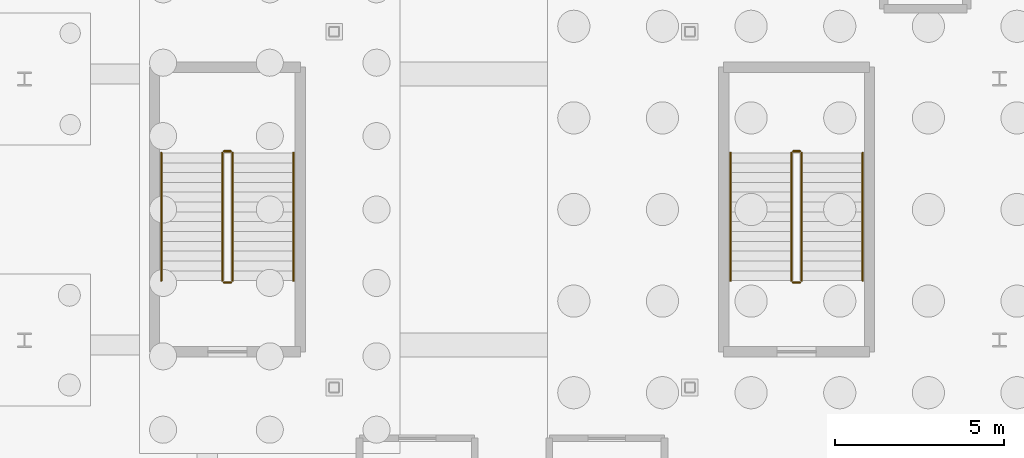
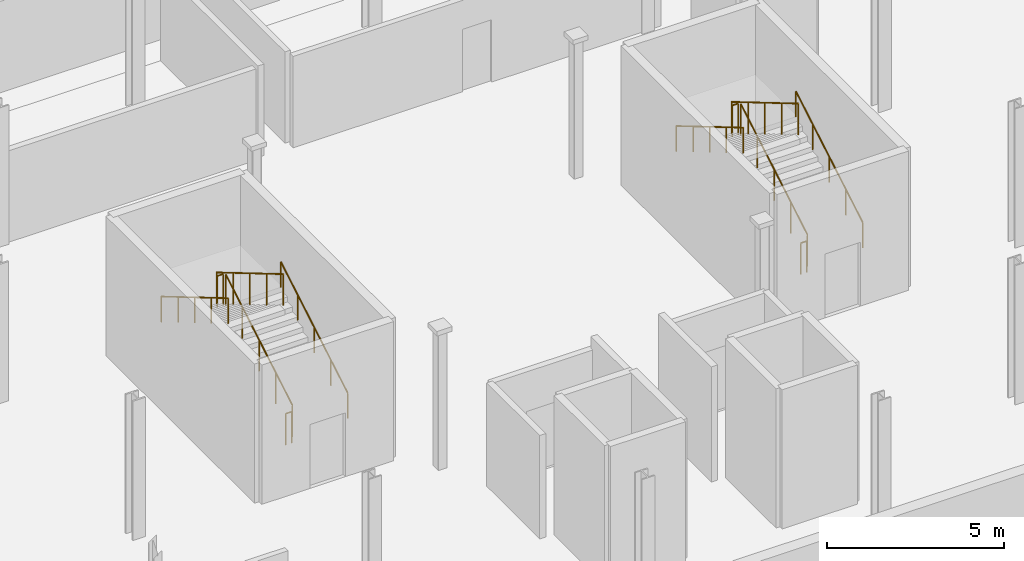
# One storey, part 34 of 37: 12 railings.
"""IFC4 building model written with IfcOpenShell, lengths in metres."""

from ifc_helpers import new_model, si_unit, direction, frame, origin, origin_2d, place, context, subcontext, project, spatial, circle, extrude, material, type_object, element, save


model = new_model("IFC4")

# Units and contexts
model_context = context("Model", 3, precision=1e-05, world=origin(), true_north=direction((0.0, 1.0)))
body_context = subcontext(model_context, "Body", "Model", "MODEL_VIEW")
ifc_project = project(units=[si_unit("LENGTHUNIT", "METRE"), si_unit("AREAUNIT", "SQUARE_METRE"), si_unit("VOLUMEUNIT", "CUBIC_METRE"), si_unit("PLANEANGLEUNIT", "RADIAN"), si_unit("MASSUNIT", "GRAM", prefix="KILO"), si_unit("THERMODYNAMICTEMPERATUREUNIT", "KELVIN"), si_unit("POWERUNIT", "WATT")], contexts=[model_context])

# Site, building, storey
site_placement = place(None, origin())
site = spatial("IfcSite", under=ifc_project, at=site_placement, CompositionType="ELEMENT")
building_placement = place(site_placement, origin())
building = spatial("IfcBuilding", under=site, at=building_placement, Name="Zelmaris Science Centre", CompositionType="ELEMENT")
storey_placement = place(building_placement, frame((0.0, 0.0, -4.800048828125)))
storey = spatial("IfcBuildingStorey", under=building, at=storey_placement, Name="B1", CompositionType="ELEMENT", Elevation=-4.800048828125)

# Railings
ifc_material = material(Name="Architectural bronze alloy C28000")
railing_type_1 = type_object("IfcRailingType", Name="Balustrade GD-01 H1120", PredefinedType="BALUSTRADE", material=ifc_material)
railing_1_placement = place(storey_placement, frame((72.75, 33.89990234375, 0.17138671875)))
element("IfcRailing", 1, at=railing_1_placement, inside=storey, type_object=railing_type_1, Name="B1 ST-1 stair guard 1", PredefinedType="BALUSTRADE", context=body_context, shape_type="SweptSolid", body=[
    extrude(circle(Radius=0.02392578125, at=origin_2d()), frame((0.0, 0.0, 1.076171875), z_axis=(0.0, 0.860824410104, 0.508902087802), x_axis=(-1.0, 0.0, 0.0)), (0.0, 0.0, 1.0), 4.379638671875),
    extrude(circle(Radius=0.02099609375, at=origin_2d()), origin(), (0.0, 0.0, 1.0), 1.052001953125),
    extrude(circle(Radius=0.02099609375, at=origin_2d()), frame((0.0, 0.9423828125, 0.55712890625)), (0.0, 0.0, 1.0), 1.052001953125),
    extrude(circle(Radius=0.02099609375, at=origin_2d()), frame((0.0, 1.885009765625, 1.1142578125)), (0.0, 0.0, 1.0), 1.052001953125),
    extrude(circle(Radius=0.02099609375, at=origin_2d()), frame((0.0, 2.82763671875, 1.671630859375)), (0.0, 0.0, 1.0), 1.052001953125),
    extrude(circle(Radius=0.02099609375, at=origin_2d()), frame((0.0, 3.77001953125, 2.228759765625)), (0.0, 0.0, 1.0), 1.052001953125),
])
railing_2_placement = place(storey_placement, frame((72.699951171875, 37.719970703125, 2.400146484375)))
element("IfcRailing", 2, at=railing_2_placement, inside=storey, type_object=railing_type_1, Name="B1 ST-1 stair guard 2", PredefinedType="BALUSTRADE", context=body_context, shape_type="SweptSolid", body=[
    extrude(circle(Radius=0.02392578125, at=origin_2d()), frame((0.0, 0.0, 1.076171875), z_axis=(-1.0, 0.0, 0.0), x_axis=(0.0, -1.0, 0.0)), (0.0, 0.0, 1.0), 0.199951171875),
    extrude(circle(Radius=0.02099609375, at=origin_2d()), origin(), (0.0, 0.0, 1.0), 1.052001953125),
    extrude(circle(Radius=0.02099609375, at=origin_2d()), frame((-0.199951171875, 0.0, 0.0)), (0.0, 0.0, 1.0), 1.052001953125),
])
railing_3_placement = place(storey_placement, frame((72.449951171875, 37.669921875, 2.571533203125)))
element("IfcRailing", 3, at=railing_3_placement, inside=storey, type_object=railing_type_1, Name="B1 ST-1 stair guard 3", PredefinedType="BALUSTRADE", context=body_context, shape_type="SweptSolid", body=[
    extrude(circle(Radius=0.02392578125, at=origin_2d()), frame((0.0, 0.0, 1.076171875), z_axis=(0.0, -0.860848830602, 0.508860777473), x_axis=(1.0, 0.0, 0.0)), (0.0, 0.0, 1.0), 4.37939453125),
    extrude(circle(Radius=0.02099609375, at=origin_2d()), origin(), (0.0, 0.0, 1.0), 1.052001953125),
    extrude(circle(Radius=0.02099609375, at=origin_2d()), frame((0.0, -0.9423828125, 0.55712890625)), (0.0, 0.0, 1.0), 1.052001953125),
    extrude(circle(Radius=0.02099609375, at=origin_2d()), frame((0.0, -1.885009765625, 1.1142578125)), (0.0, 0.0, 1.0), 1.052001953125),
    extrude(circle(Radius=0.02099609375, at=origin_2d()), frame((0.0, -2.82763671875, 1.67138671875)), (0.0, 0.0, 1.0), 1.052001953125),
    extrude(circle(Radius=0.02099609375, at=origin_2d()), frame((0.0, -3.77001953125, 2.228515625)), (0.0, 0.0, 1.0), 1.052001953125),
])
railing_4_placement = place(storey_placement, frame((72.699951171875, 33.85009765625, 0.0)))
element("IfcRailing", 4, at=railing_4_placement, inside=storey, type_object=railing_type_1, Name="B1 ST-1 stair guard 4", PredefinedType="BALUSTRADE", context=body_context, shape_type="SweptSolid", body=[
    extrude(circle(Radius=0.02392578125, at=origin_2d()), frame((0.0, 0.0, 1.076171875), z_axis=(-1.0, 0.0, 0.0), x_axis=(0.0, -1.0, 0.0)), (0.0, 0.0, 1.0), 0.199951171875),
    extrude(circle(Radius=0.02099609375, at=origin_2d()), origin(), (0.0, 0.0, 1.0), 1.052001953125),
    extrude(circle(Radius=0.02099609375, at=origin_2d()), frame((-0.199951171875, 0.0, 0.0)), (0.0, 0.0, 1.0), 1.052001953125),
])
railing_5_placement = place(storey_placement, frame((89.550048828125, 33.89990234375, 0.17138671875)))
element("IfcRailing", 5, at=railing_5_placement, inside=storey, type_object=railing_type_1, Name="B1 ST-2 stair guard 1", PredefinedType="BALUSTRADE", context=body_context, shape_type="SweptSolid", body=[
    extrude(circle(Radius=0.02392578125, at=origin_2d()), frame((0.0, 0.0, 1.076171875), z_axis=(0.0, 0.860824410104, 0.508902087802), x_axis=(-1.0, 0.0, 0.0)), (0.0, 0.0, 1.0), 4.379638671875),
    extrude(circle(Radius=0.02099609375, at=origin_2d()), origin(), (0.0, 0.0, 1.0), 1.052001953125),
    extrude(circle(Radius=0.02099609375, at=origin_2d()), frame((0.0, 0.9423828125, 0.55712890625)), (0.0, 0.0, 1.0), 1.052001953125),
    extrude(circle(Radius=0.02099609375, at=origin_2d()), frame((0.0, 1.885009765625, 1.1142578125)), (0.0, 0.0, 1.0), 1.052001953125),
    extrude(circle(Radius=0.02099609375, at=origin_2d()), frame((0.0, 2.82763671875, 1.671630859375)), (0.0, 0.0, 1.0), 1.052001953125),
    extrude(circle(Radius=0.02099609375, at=origin_2d()), frame((0.0, 3.77001953125, 2.228759765625)), (0.0, 0.0, 1.0), 1.052001953125),
])
railing_6_placement = place(storey_placement, frame((89.5, 37.719970703125, 2.400146484375)))
element("IfcRailing", 6, at=railing_6_placement, inside=storey, type_object=railing_type_1, Name="B1 ST-2 stair guard 2", PredefinedType="BALUSTRADE", context=body_context, shape_type="SweptSolid", body=[
    extrude(circle(Radius=0.02392578125, at=origin_2d()), frame((0.0, 0.0, 1.076171875), z_axis=(-1.0, 0.0, 0.0), x_axis=(0.0, -1.0, 0.0)), (0.0, 0.0, 1.0), 0.199951171875),
    extrude(circle(Radius=0.02099609375, at=origin_2d()), origin(), (0.0, 0.0, 1.0), 1.052001953125),
    extrude(circle(Radius=0.02099609375, at=origin_2d()), frame((-0.199951171875, 0.0, 0.0)), (0.0, 0.0, 1.0), 1.052001953125),
])
railing_7_placement = place(storey_placement, frame((89.25, 37.669921875, 2.571533203125)))
element("IfcRailing", 7, at=railing_7_placement, inside=storey, type_object=railing_type_1, Name="B1 ST-2 stair guard 3", PredefinedType="BALUSTRADE", context=body_context, shape_type="SweptSolid", body=[
    extrude(circle(Radius=0.02392578125, at=origin_2d()), frame((0.0, 0.0, 1.076171875), z_axis=(0.0, -0.860848830602, 0.508860777473), x_axis=(1.0, 0.0, 0.0)), (0.0, 0.0, 1.0), 4.37939453125),
    extrude(circle(Radius=0.02099609375, at=origin_2d()), origin(), (0.0, 0.0, 1.0), 1.052001953125),
    extrude(circle(Radius=0.02099609375, at=origin_2d()), frame((0.0, -0.9423828125, 0.55712890625)), (0.0, 0.0, 1.0), 1.052001953125),
    extrude(circle(Radius=0.02099609375, at=origin_2d()), frame((0.0, -1.885009765625, 1.1142578125)), (0.0, 0.0, 1.0), 1.052001953125),
    extrude(circle(Radius=0.02099609375, at=origin_2d()), frame((0.0, -2.82763671875, 1.67138671875)), (0.0, 0.0, 1.0), 1.052001953125),
    extrude(circle(Radius=0.02099609375, at=origin_2d()), frame((0.0, -3.77001953125, 2.228515625)), (0.0, 0.0, 1.0), 1.052001953125),
])
railing_8_placement = place(storey_placement, frame((89.5, 33.85009765625, 0.0)))
element("IfcRailing", 8, at=railing_8_placement, inside=storey, type_object=railing_type_1, Name="B1 ST-2 stair guard 4", PredefinedType="BALUSTRADE", context=body_context, shape_type="SweptSolid", body=[
    extrude(circle(Radius=0.02392578125, at=origin_2d()), frame((0.0, 0.0, 1.076171875), z_axis=(-1.0, 0.0, 0.0), x_axis=(0.0, -1.0, 0.0)), (0.0, 0.0, 1.0), 0.199951171875),
    extrude(circle(Radius=0.02099609375, at=origin_2d()), origin(), (0.0, 0.0, 1.0), 1.052001953125),
    extrude(circle(Radius=0.02099609375, at=origin_2d()), frame((-0.199951171875, 0.0, 0.0)), (0.0, 0.0, 1.0), 1.052001953125),
])
railing_type_2 = type_object("IfcRailingType", Name="Handrail HR-01 H900", PredefinedType="HANDRAIL", material=ifc_material)
railing_9_placement = place(storey_placement, frame((74.550048828125, 33.89990234375, 0.17138671875)))
element("IfcRailing", 9, at=railing_9_placement, inside=storey, type_object=railing_type_2, Name="B1 ST-1 stair handrail 1", PredefinedType="HANDRAIL", context=body_context, shape_type="SweptSolid", body=[
    extrude(circle(Radius=0.02392578125, at=origin_2d()), frame((0.0, 0.0, 0.8759765625), z_axis=(0.0, 0.860824410104, 0.508902087802), x_axis=(-1.0, 0.0, 0.0)), (0.0, 0.0, 1.0), 4.379638671875),
    extrude(circle(Radius=0.02099609375, at=origin_2d()), origin(), (0.0, 0.0, 1.0), 0.851806640625),
    extrude(circle(Radius=0.02099609375, at=origin_2d()), frame((0.0, 0.9423828125, 0.55712890625)), (0.0, 0.0, 1.0), 0.851806640625),
    extrude(circle(Radius=0.02099609375, at=origin_2d()), frame((0.0, 1.885009765625, 1.1142578125)), (0.0, 0.0, 1.0), 0.851806640625),
    extrude(circle(Radius=0.02099609375, at=origin_2d()), frame((0.0, 2.82763671875, 1.671630859375)), (0.0, 0.0, 1.0), 0.851806640625),
    extrude(circle(Radius=0.02099609375, at=origin_2d()), frame((0.0, 3.77001953125, 2.228759765625)), (0.0, 0.0, 1.0), 0.851806640625),
])
railing_10_placement = place(storey_placement, frame((70.64990234375, 37.669921875, 2.571533203125)))
element("IfcRailing", 10, at=railing_10_placement, inside=storey, type_object=railing_type_2, Name="B1 ST-1 stair handrail 2", PredefinedType="HANDRAIL", context=body_context, shape_type="SweptSolid", body=[
    extrude(circle(Radius=0.02392578125, at=origin_2d()), frame((0.0, 0.0, 0.8759765625), z_axis=(0.0, -0.860848830602, 0.508860777473), x_axis=(1.0, 0.0, 0.0)), (0.0, 0.0, 1.0), 4.37939453125),
    extrude(circle(Radius=0.02099609375, at=origin_2d()), origin(), (0.0, 0.0, 1.0), 0.851806640625),
    extrude(circle(Radius=0.02099609375, at=origin_2d()), frame((0.0, -0.9423828125, 0.55712890625)), (0.0, 0.0, 1.0), 0.851806640625),
    extrude(circle(Radius=0.02099609375, at=origin_2d()), frame((0.0, -1.885009765625, 1.1142578125)), (0.0, 0.0, 1.0), 0.851806640625),
    extrude(circle(Radius=0.02099609375, at=origin_2d()), frame((0.0, -2.82763671875, 1.67138671875)), (0.0, 0.0, 1.0), 0.851806640625),
    extrude(circle(Radius=0.02099609375, at=origin_2d()), frame((0.0, -3.77001953125, 2.228515625)), (0.0, 0.0, 1.0), 0.851806640625),
])
railing_11_placement = place(storey_placement, frame((91.35009765625, 33.89990234375, 0.17138671875)))
element("IfcRailing", 11, at=railing_11_placement, inside=storey, type_object=railing_type_2, Name="B1 ST-2 stair handrail 1", PredefinedType="HANDRAIL", context=body_context, shape_type="SweptSolid", body=[
    extrude(circle(Radius=0.02392578125, at=origin_2d()), frame((0.0, 0.0, 0.8759765625), z_axis=(0.0, 0.860824410104, 0.508902087802), x_axis=(-1.0, 0.0, 0.0)), (0.0, 0.0, 1.0), 4.379638671875),
    extrude(circle(Radius=0.02099609375, at=origin_2d()), origin(), (0.0, 0.0, 1.0), 0.851806640625),
    extrude(circle(Radius=0.02099609375, at=origin_2d()), frame((0.0, 0.9423828125, 0.55712890625)), (0.0, 0.0, 1.0), 0.851806640625),
    extrude(circle(Radius=0.02099609375, at=origin_2d()), frame((0.0, 1.885009765625, 1.1142578125)), (0.0, 0.0, 1.0), 0.851806640625),
    extrude(circle(Radius=0.02099609375, at=origin_2d()), frame((0.0, 2.82763671875, 1.671630859375)), (0.0, 0.0, 1.0), 0.851806640625),
    extrude(circle(Radius=0.02099609375, at=origin_2d()), frame((0.0, 3.77001953125, 2.228759765625)), (0.0, 0.0, 1.0), 0.851806640625),
])
railing_12_placement = place(storey_placement, frame((87.449951171875, 37.669921875, 2.571533203125)))
element("IfcRailing", 12, at=railing_12_placement, inside=storey, type_object=railing_type_2, Name="B1 ST-2 stair handrail 2", PredefinedType="HANDRAIL", context=body_context, shape_type="SweptSolid", body=[
    extrude(circle(Radius=0.02392578125, at=origin_2d()), frame((0.0, 0.0, 0.8759765625), z_axis=(0.0, -0.860848830602, 0.508860777473), x_axis=(1.0, 0.0, 0.0)), (0.0, 0.0, 1.0), 4.37939453125),
    extrude(circle(Radius=0.02099609375, at=origin_2d()), origin(), (0.0, 0.0, 1.0), 0.851806640625),
    extrude(circle(Radius=0.02099609375, at=origin_2d()), frame((0.0, -0.9423828125, 0.55712890625)), (0.0, 0.0, 1.0), 0.851806640625),
    extrude(circle(Radius=0.02099609375, at=origin_2d()), frame((0.0, -1.885009765625, 1.1142578125)), (0.0, 0.0, 1.0), 0.851806640625),
    extrude(circle(Radius=0.02099609375, at=origin_2d()), frame((0.0, -2.82763671875, 1.67138671875)), (0.0, 0.0, 1.0), 0.851806640625),
    extrude(circle(Radius=0.02099609375, at=origin_2d()), frame((0.0, -3.77001953125, 2.228515625)), (0.0, 0.0, 1.0), 0.851806640625),
])

save(model, "model.ifc")
